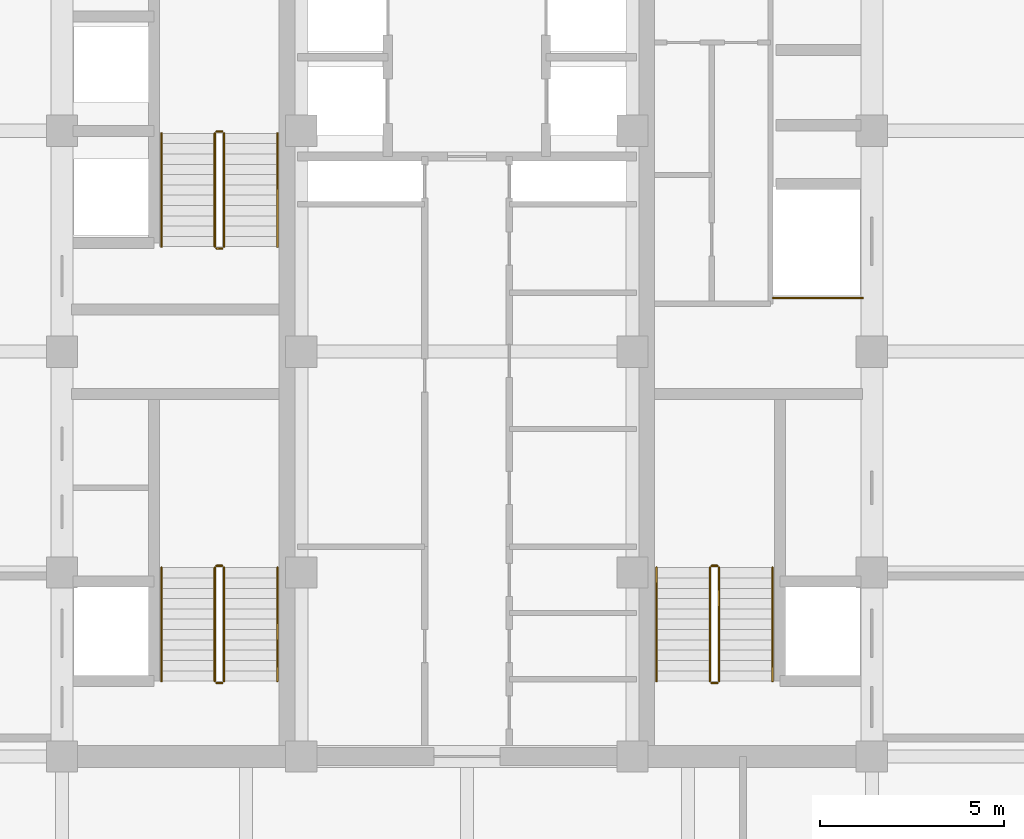
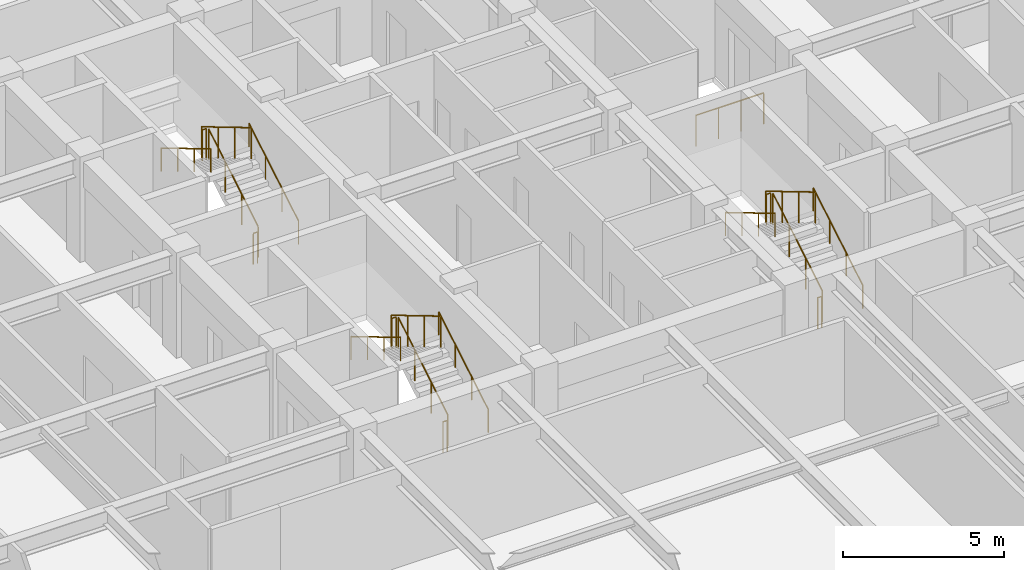
# One storey, part 25 of 25: 19 railings.
"""IFC4 building model written with IfcOpenShell, lengths in metres."""

from ifc_helpers import new_model, si_unit, direction, frame, origin, origin_2d, place, context, subcontext, project, spatial, circle, extrude, source, transform, mapped, material, type_object, element, save


model = new_model("IFC4")

# Units and contexts
model_context = context("Model", 3, precision=1e-05, world=origin(), true_north=direction((0.0, 1.0)))
body_context = subcontext(model_context, "Body", "Model", "MODEL_VIEW")
ifc_project = project(units=[si_unit("LENGTHUNIT", "METRE"), si_unit("AREAUNIT", "SQUARE_METRE"), si_unit("VOLUMEUNIT", "CUBIC_METRE"), si_unit("PLANEANGLEUNIT", "RADIAN"), si_unit("MASSUNIT", "GRAM", prefix="KILO")], contexts=[model_context])

# Site, building, storey
site_placement = place(None, origin())
site = spatial("IfcSite", under=ifc_project, at=site_placement, CompositionType="ELEMENT")
building_placement = place(site_placement, origin())
building = spatial("IfcBuilding", under=site, at=building_placement, Name="Khorayat Bourse Tower", CompositionType="ELEMENT")
storey_placement = place(building_placement, frame((0.0, 0.0, 223.10009765625)))
storey = spatial("IfcBuildingStorey", under=building, at=storey_placement, Name="L52", CompositionType="ELEMENT", Elevation=223.10009765625)

# Railings
ifc_material_1 = material(Name="Powder-coated steel balustrade", Category="steel")
railing_type_1 = type_object("IfcRailingType", Name="RLG-GUARD-1200", PredefinedType="GUARDRAIL", material=ifc_material_1)
shared_shape_1 = source(origin(), body_context, "Body", "SweptSolid", [
    extrude(circle(Radius=0.02392578125, at=origin_2d()), frame((0.0, 0.0, 1.17578125), z_axis=(-1.0, 0.0, 0.0), x_axis=(0.0, -1.0, 0.0)), (0.0, 0.0, 1.0), 0.150146484375),
    extrude(circle(Radius=0.02099609375, at=origin_2d()), origin(), (0.0, 0.0, 1.0), 1.15185546875),
    extrude(circle(Radius=0.02099609375, at=origin_2d()), frame((-0.150146484375, 0.0, 0.0)), (0.0, 0.0, 1.0), 1.15185546875),
])
for number, where, name in (
    (1, (-6.64990234375, -5.820068359375, 2.0), "L52 ST-1 stair guard 2"),
    (2, (-6.64990234375, -9.0, 0.0), "L52 ST-1 stair guard 4"),
    (3, (-6.64990234375, 5.97998046875, 2.0), "L52 ST-2 stair guard 2"),
    (4, (-6.64990234375, 2.800048828125, 0.0), "L52 ST-2 stair guard 4"),
    (5, (6.800048828125, -5.820068359375, 2.0), "L52 ST-3 stair guard 2"),
    (6, (6.800048828125, -9.0, 0.0), "L52 ST-3 stair guard 4"),
):
    element("IfcRailing", number, at=place(storey_placement, frame(where)), inside=storey, type_object=railing_type_1, Name=name, PredefinedType="GUARDRAIL", context=body_context, shape_type="MappedRepresentation", body=[
        mapped(shared_shape_1, transform((0.0, 0.0, 0.0), scale=1.0)),
    ])
shared_shape_2 = source(origin(), body_context, "Body", "SweptSolid", [
    extrude(circle(Radius=0.02392578125, at=origin_2d()), frame((0.0, 0.0, 1.17578125), z_axis=(0.0, 0.859260807169, 0.511537745687), x_axis=(-1.0, 0.0, 0.0)), (0.0, 0.0, 1.0), 3.584228515625),
    extrude(circle(Radius=0.02099609375, at=origin_2d()), origin(), (0.0, 0.0, 1.0), 1.15185546875),
    extrude(circle(Radius=0.02099609375, at=origin_2d()), frame((0.0, 1.026611328125, 0.611083984375)), (0.0, 0.0, 1.0), 1.15185546875),
    extrude(circle(Radius=0.02099609375, at=origin_2d()), frame((0.0, 2.05322265625, 1.222412109375)), (0.0, 0.0, 1.0), 1.15185546875),
    extrude(circle(Radius=0.02099609375, at=origin_2d()), frame((0.0, 3.079833984375, 1.83349609375)), (0.0, 0.0, 1.0), 1.15185546875),
])
for number, where, name in (
    (7, (-6.60009765625, -8.949951171875, 0.16650390625), "L52 ST-1 stair guard 1"),
    (8, (-6.60009765625, 2.85009765625, 0.16650390625), "L52 ST-2 stair guard 1"),
    (9, (6.85009765625, -8.949951171875, 0.16650390625), "L52 ST-3 stair guard 1"),
):
    element("IfcRailing", number, at=place(storey_placement, frame(where)), inside=storey, type_object=railing_type_1, Name=name, PredefinedType="GUARDRAIL", context=body_context, shape_type="MappedRepresentation", body=[
        mapped(shared_shape_2, transform((0.0, 0.0, 0.0), scale=1.0)),
    ])
shared_shape_3 = source(origin(), body_context, "Body", "SweptSolid", [
    extrude(circle(Radius=0.02392578125, at=origin_2d()), frame((0.0, 0.0, 1.17578125), z_axis=(0.0, -0.859260807169, 0.511537745687), x_axis=(1.0, 0.0, 0.0)), (0.0, 0.0, 1.0), 3.584228515625),
    extrude(circle(Radius=0.02099609375, at=origin_2d()), origin(), (0.0, 0.0, 1.0), 1.15185546875),
    extrude(circle(Radius=0.02099609375, at=origin_2d()), frame((0.0, -1.026611328125, 0.611083984375)), (0.0, 0.0, 1.0), 1.15185546875),
    extrude(circle(Radius=0.02099609375, at=origin_2d()), frame((0.0, -2.05322265625, 1.222412109375)), (0.0, 0.0, 1.0), 1.15185546875),
    extrude(circle(Radius=0.02099609375, at=origin_2d()), frame((0.0, -3.079833984375, 1.83349609375)), (0.0, 0.0, 1.0), 1.15185546875),
])
for number, where, name in (
    (10, (-6.85009765625, -5.8701171875, 2.16650390625), "L52 ST-1 stair guard 3"),
    (11, (-6.85009765625, 5.929931640625, 2.16650390625), "L52 ST-2 stair guard 3"),
    (12, (6.60009765625, -5.8701171875, 2.16650390625), "L52 ST-3 stair guard 3"),
):
    element("IfcRailing", number, at=place(storey_placement, frame(where)), inside=storey, type_object=railing_type_1, Name=name, PredefinedType="GUARDRAIL", context=body_context, shape_type="MappedRepresentation", body=[
        mapped(shared_shape_3, transform((0.0, 0.0, 0.0), scale=1.0)),
    ])
ifc_material_2 = material(Name="Brushed bronze stainless-steel handrail", Category="steel")
railing_type_2 = type_object("IfcRailingType", Name="RLG-HAND-900", PredefinedType="HANDRAIL", material=ifc_material_2)
shared_shape_4 = source(origin(), body_context, "Body", "SweptSolid", [
    extrude(circle(Radius=0.02392578125, at=origin_2d()), frame((0.0, 0.0, 0.8759765625), z_axis=(0.0, 0.859260807169, 0.511537745687), x_axis=(-1.0, 0.0, 0.0)), (0.0, 0.0, 1.0), 3.584228515625),
    extrude(circle(Radius=0.02099609375, at=origin_2d()), origin(), (0.0, 0.0, 1.0), 0.851806640625),
    extrude(circle(Radius=0.02099609375, at=origin_2d()), frame((0.0, 1.026611328125, 0.611083984375)), (0.0, 0.0, 1.0), 0.851806640625),
    extrude(circle(Radius=0.02099609375, at=origin_2d()), frame((0.0, 2.05322265625, 1.222412109375)), (0.0, 0.0, 1.0), 0.851806640625),
    extrude(circle(Radius=0.02099609375, at=origin_2d()), frame((0.0, 3.079833984375, 1.83349609375)), (0.0, 0.0, 1.0), 0.851806640625),
])
for number, where, name in (
    (13, (-5.14990234375, -8.949951171875, 0.16650390625), "L52 ST-1 stair handrail 1"),
    (14, (-5.14990234375, 2.85009765625, 0.16650390625), "L52 ST-2 stair handrail 1"),
    (15, (8.300048828125, -8.949951171875, 0.16650390625), "L52 ST-3 stair handrail 1"),
):
    element("IfcRailing", number, at=place(storey_placement, frame(where)), inside=storey, type_object=railing_type_2, Name=name, PredefinedType="HANDRAIL", context=body_context, shape_type="MappedRepresentation", body=[
        mapped(shared_shape_4, transform((0.0, 0.0, 0.0), scale=1.0)),
    ])
shared_shape_5 = source(origin(), body_context, "Body", "SweptSolid", [
    extrude(circle(Radius=0.02392578125, at=origin_2d()), frame((0.0, 0.0, 0.8759765625), z_axis=(0.0, -0.859260807169, 0.511537745687), x_axis=(1.0, 0.0, 0.0)), (0.0, 0.0, 1.0), 3.584228515625),
    extrude(circle(Radius=0.02099609375, at=origin_2d()), origin(), (0.0, 0.0, 1.0), 0.851806640625),
    extrude(circle(Radius=0.02099609375, at=origin_2d()), frame((0.0, -1.026611328125, 0.611083984375)), (0.0, 0.0, 1.0), 0.851806640625),
    extrude(circle(Radius=0.02099609375, at=origin_2d()), frame((0.0, -2.05322265625, 1.222412109375)), (0.0, 0.0, 1.0), 0.851806640625),
    extrude(circle(Radius=0.02099609375, at=origin_2d()), frame((0.0, -3.079833984375, 1.83349609375)), (0.0, 0.0, 1.0), 0.851806640625),
])
for number, where, name in (
    (16, (-8.300048828125, -5.8701171875, 2.16650390625), "L52 ST-1 stair handrail 2"),
    (17, (-8.300048828125, 5.929931640625, 2.16650390625), "L52 ST-2 stair handrail 2"),
    (18, (5.14990234375, -5.8701171875, 2.16650390625), "L52 ST-3 stair handrail 2"),
):
    element("IfcRailing", number, at=place(storey_placement, frame(where)), inside=storey, type_object=railing_type_2, Name=name, PredefinedType="HANDRAIL", context=body_context, shape_type="MappedRepresentation", body=[
        mapped(shared_shape_5, transform((0.0, 0.0, 0.0), scale=1.0)),
    ])
shared_shape_6 = source(origin(), body_context, "Body", "SweptSolid", [
    extrude(circle(Radius=0.02392578125, at=origin_2d()), frame((0.0, 0.0, 1.17578125), z_axis=(1.0, 0.0, 0.0), x_axis=(0.0, 1.0, 0.0)), (0.0, 0.0, 1.0), 2.429931640625),
    extrude(circle(Radius=0.02099609375, at=origin_2d()), origin(), (0.0, 0.0, 1.0), 1.15185546875),
    extrude(circle(Radius=0.02099609375, at=origin_2d()), frame((0.81005859375, 0.0, 0.0)), (0.0, 0.0, 1.0), 1.15185546875),
    extrude(circle(Radius=0.02099609375, at=origin_2d()), frame((1.619873046875, 0.0, 0.0)), (0.0, 0.0, 1.0), 1.15185546875),
    extrude(circle(Radius=0.02099609375, at=origin_2d()), frame((2.429931640625, 0.0, 0.0)), (0.0, 0.0, 1.0), 1.15185546875),
])
railing_placement = place(storey_placement, frame((8.320068359375, 1.4599609375, 0.0)))
element("IfcRailing", 19, at=railing_placement, inside=storey, type_object=railing_type_1, Name="L52 Goods Shaft Opening Guardrail", PredefinedType="GUARDRAIL", context=body_context, shape_type="MappedRepresentation", body=[
    mapped(shared_shape_6, transform((0.0, 0.0, 0.0), scale=1.0)),
])

save(model, "model.ifc")
